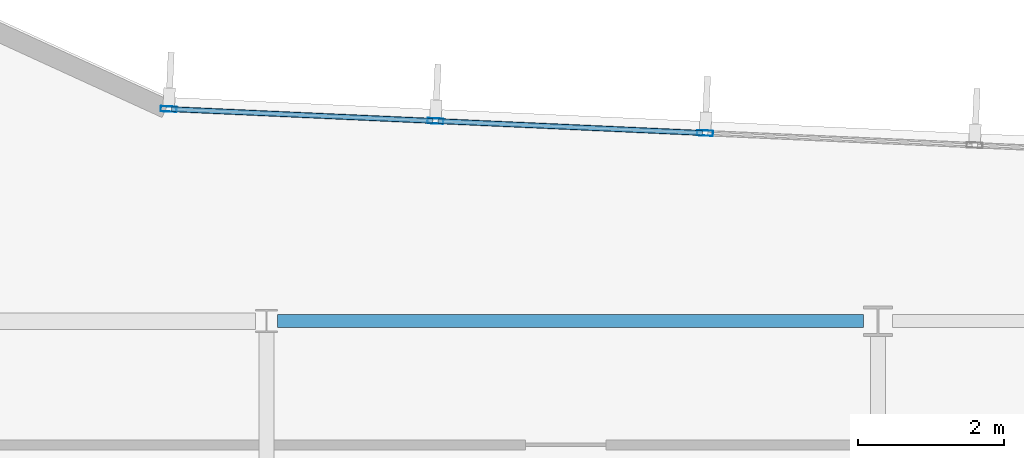
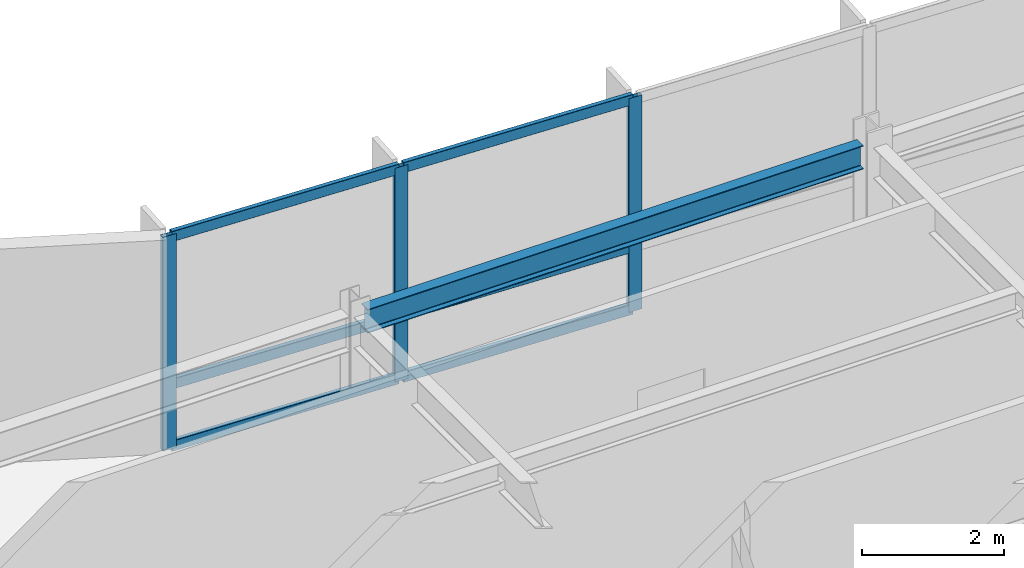
# One storey, part 5 of 16: 9 members, 1 beam, 1 element without a shape of its own.
"""IFC4 building model written with IfcOpenShell, lengths in metres."""

from ifc_helpers import new_model, si_unit, direction, frame, origin, origin_2d, place, context, subcontext, project, spatial, hollow_rectangle, i_section, extrude, material, layer, layer_set, material_profile, profile_set, type_object, element, aggregate, save


model = new_model("IFC4")

# Units and contexts
model_context = context("Model", 3, precision=1e-05, world=origin(), true_north=direction((0.0, 1.0)))
body_context = subcontext(model_context, "Body", "Model", "MODEL_VIEW")
ifc_project = project(units=[si_unit("LENGTHUNIT", "METRE"), si_unit("AREAUNIT", "SQUARE_METRE"), si_unit("VOLUMEUNIT", "CUBIC_METRE"), si_unit("PLANEANGLEUNIT", "RADIAN"), si_unit("MASSUNIT", "GRAM", prefix="KILO")], contexts=[model_context])

# Site, building, storey
site_placement = place(None, origin())
site = spatial("IfcSite", under=ifc_project, at=site_placement, CompositionType="ELEMENT")
building_placement = place(site_placement, origin())
building = spatial("IfcBuilding", under=site, at=building_placement, Name="Varnakote Quay Hospital", CompositionType="ELEMENT")
storey_placement = place(building_placement, frame((0.0, 0.0, 170.5)))
storey = spatial("IfcBuildingStorey", under=building, at=storey_placement, Name="L42", CompositionType="ELEMENT", Elevation=170.5)

# Curtain wall, members
ifc_material_1 = material(Name="Anodised aluminium 6063-T6 Bronze", Category="aluminium")
ifc_layer = layer(ifc_material_1, 0.205078125)
ifc_layer_set = layer_set([ifc_layer], Name="Anodised aluminium 6063-T6 Bronze")
curtain_wall_type = type_object("IfcCurtainWallType", Name="CW-SYS-3", PredefinedType="NOTDEFINED", material=ifc_layer_set)
curtain_wall_placement = place(storey_placement, origin())
curtain_wall = element("IfcCurtainWall", 1, at=curtain_wall_placement, inside=storey, type_object=curtain_wall_type, Name="L42 Unitised Bronze Curtain Wall 2", PredefinedType="NOTDEFINED")
ifc_material_2 = material(Name="Anodised aluminium 6063-T6 Bronze", Category="aluminium")
ifc_material_profile_1 = material_profile(ifc_material_2, hollow_rectangle(XDim=0.074951171875, YDim=0.219970703125, WallThickness=0.00439453125, InnerFilletRadius=0.00439453125, OuterFilletRadius=0.009033203125, at=origin_2d()), Name="CW-MULL-220x75")
ifc_profile_set_1 = profile_set([ifc_material_profile_1], Name="Anodised aluminium 6063-T6 Bronze")
member_type_1 = type_object("IfcMemberType", Name="CW-MULL-220x75", PredefinedType="MULLION", material=ifc_profile_set_1)
member_1_placement = place(storey_placement, frame((31.223876953125, 31.383544921875, 0.0), z_axis=(0.0, 0.0, 1.0), x_axis=(-0.044782334659, -0.998996768014, 0.0)))
member_1 = element("IfcMember", 2, at=member_1_placement, type_object=member_type_1, Name="-3-L42-2 mullion 3", PredefinedType="MULLION", context=body_context, shape_type="SweptSolid", body=[
    extrude(hollow_rectangle(XDim=0.074951171875, YDim=0.219970703125, WallThickness=0.00439453125, InnerFilletRadius=0.00439453125, OuterFilletRadius=0.009033203125, at=origin_2d()), origin(), (0.0, 0.0, 1.0), 3.669921875),
])
member_2_placement = place(storey_placement, frame((27.520751953125, 31.549560546875, 0.0), z_axis=(0.0, 0.0, 1.0), x_axis=(-0.044782334659, -0.998996768014, 0.0)))
member_2 = element("IfcMember", 3, at=member_2_placement, type_object=member_type_1, Name="-3-L42-2 mullion 4", PredefinedType="MULLION", context=body_context, shape_type="SweptSolid", body=[
    extrude(hollow_rectangle(XDim=0.074951171875, YDim=0.219970703125, WallThickness=0.00439453125, InnerFilletRadius=0.00439453125, OuterFilletRadius=0.009033203125, at=origin_2d()), origin(), (0.0, 0.0, 1.0), 3.669921875),
])
member_3_placement = place(storey_placement, frame((23.855224609375, 31.7138671875, 0.0), z_axis=(0.0, 0.0, 1.0), x_axis=(-0.044782334659, -0.998996768014, 0.0)))
member_3 = element("IfcMember", 4, at=member_3_placement, type_object=member_type_1, Name="-3-L42-2 mullion 5", PredefinedType="MULLION", context=body_context, shape_type="SweptSolid", body=[
    extrude(hollow_rectangle(XDim=0.074951171875, YDim=0.219970703125, WallThickness=0.00439453125, InnerFilletRadius=0.00439453125, OuterFilletRadius=0.009033203125, at=origin_2d()), origin(), (0.0, 0.0, 1.0), 3.669921875),
])
ifc_material_3 = material(Name="Anodised aluminium 6063-T6 Bronze", Category="aluminium")
ifc_material_profile_2 = material_profile(ifc_material_3, hollow_rectangle(XDim=0.074951171875, YDim=0.179931640625, WallThickness=0.004150390625, InnerFilletRadius=0.004150390625, OuterFilletRadius=0.00830078125, at=origin_2d()), Name="CW-TRAN-180x75")
ifc_profile_set_2 = profile_set([ifc_material_profile_2], Name="Anodised aluminium 6063-T6 Bronze")
member_type_2 = type_object("IfcMemberType", Name="CW-TRAN-180x75", PredefinedType="USERDEFINED", material=ifc_profile_set_2)
member_4_placement = place(storey_placement, frame((31.1865234375, 31.38525390625, 0.03759765625), z_axis=(-0.99899730508, 0.044770352277, 0.0), x_axis=(-0.044770352277, -0.99899730508, 0.0)))
member_4 = element("IfcMember", 5, at=member_4_placement, type_object=member_type_2, Name="-3-L42-2 transom 3.1", ObjectType="TRANSOM", PredefinedType="USERDEFINED", context=body_context, shape_type="SweptSolid", body=[
    extrude(hollow_rectangle(XDim=0.074951171875, YDim=0.179931640625, WallThickness=0.004150390625, InnerFilletRadius=0.004150390625, OuterFilletRadius=0.00830078125, at=origin_2d()), origin(), (0.0, 0.0, 1.0), 3.6318359375),
])
member_5_placement = place(storey_placement, frame((31.1865234375, 31.38525390625, 1.10009765625), z_axis=(-0.99899730508, 0.044770352277, 0.0), x_axis=(-0.044770352277, -0.99899730508, 0.0)))
member_5 = element("IfcMember", 6, at=member_5_placement, type_object=member_type_2, Name="-3-L42-2 transom 3.2", ObjectType="TRANSOM", PredefinedType="USERDEFINED", context=body_context, shape_type="SweptSolid", body=[
    extrude(hollow_rectangle(XDim=0.074951171875, YDim=0.179931640625, WallThickness=0.004150390625, InnerFilletRadius=0.004150390625, OuterFilletRadius=0.00830078125, at=origin_2d()), origin(), (0.0, 0.0, 1.0), 3.6318359375),
])
member_6_placement = place(storey_placement, frame((31.1865234375, 31.38525390625, 3.632568359375), z_axis=(-0.99899730508, 0.044770352277, 0.0), x_axis=(-0.044770352277, -0.99899730508, 0.0)))
member_6 = element("IfcMember", 7, at=member_6_placement, type_object=member_type_2, Name="-3-L42-2 transom 3.3", ObjectType="TRANSOM", PredefinedType="USERDEFINED", context=body_context, shape_type="SweptSolid", body=[
    extrude(hollow_rectangle(XDim=0.074951171875, YDim=0.179931640625, WallThickness=0.004150390625, InnerFilletRadius=0.004150390625, OuterFilletRadius=0.00830078125, at=origin_2d()), origin(), (0.0, 0.0, 1.0), 3.6318359375),
])
member_7_placement = place(storey_placement, frame((27.4833984375, 31.55126953125, 0.03759765625), z_axis=(-0.998997740237, 0.044760641203, 0.0), x_axis=(-0.044760641203, -0.998997740237, 0.0)))
member_7 = element("IfcMember", 8, at=member_7_placement, type_object=member_type_2, Name="-3-L42-2 transom 4.1", ObjectType="TRANSOM", PredefinedType="USERDEFINED", context=body_context, shape_type="SweptSolid", body=[
    extrude(hollow_rectangle(XDim=0.074951171875, YDim=0.179931640625, WallThickness=0.004150390625, InnerFilletRadius=0.004150390625, OuterFilletRadius=0.00830078125, at=origin_2d()), origin(), (0.0, 0.0, 1.0), 3.594482421875),
])
member_8_placement = place(storey_placement, frame((27.4833984375, 31.55126953125, 1.10009765625), z_axis=(-0.998997740237, 0.044760641203, 0.0), x_axis=(-0.044760641203, -0.998997740237, 0.0)))
member_8 = element("IfcMember", 9, at=member_8_placement, type_object=member_type_2, Name="-3-L42-2 transom 4.2", ObjectType="TRANSOM", PredefinedType="USERDEFINED", context=body_context, shape_type="SweptSolid", body=[
    extrude(hollow_rectangle(XDim=0.074951171875, YDim=0.179931640625, WallThickness=0.004150390625, InnerFilletRadius=0.004150390625, OuterFilletRadius=0.00830078125, at=origin_2d()), origin(), (0.0, 0.0, 1.0), 3.594482421875),
])
member_9_placement = place(storey_placement, frame((27.4833984375, 31.55126953125, 3.632568359375), z_axis=(-0.998997740237, 0.044760641203, 0.0), x_axis=(-0.044760641203, -0.998997740237, 0.0)))
member_9 = element("IfcMember", 10, at=member_9_placement, type_object=member_type_2, Name="-3-L42-2 transom 4.3", ObjectType="TRANSOM", PredefinedType="USERDEFINED", context=body_context, shape_type="SweptSolid", body=[
    extrude(hollow_rectangle(XDim=0.074951171875, YDim=0.179931640625, WallThickness=0.004150390625, InnerFilletRadius=0.004150390625, OuterFilletRadius=0.00830078125, at=origin_2d()), origin(), (0.0, 0.0, 1.0), 3.594482421875),
])
aggregate(curtain_wall, [member_1, member_2, member_3, member_4, member_5, member_6, member_7, member_8, member_9])

# Beam
ifc_material_4 = material(Name="Structural steel AS/NZS 3679.1 Grade 350 L0 (fy 340 MPa)", Category="steel")
ifc_material_profile_3 = material_profile(ifc_material_4, i_section(OverallWidth=0.177978515625, OverallDepth=0.406005859375, WebThickness=0.0078125, FlangeThickness=0.0126953125, FilletRadius=0.011474609375, at=origin_2d()), Name="410UB59.7")
ifc_profile_set_3 = profile_set([ifc_material_profile_3], Name="Structural steel AS/NZS 3679.1 Grade 350 L0 (fy 340 MPa)")
beam_type = type_object("IfcBeamType", Name="SPN-STL-410UB59-7", PredefinedType="SPANDREL", material=ifc_profile_set_3)
beam_placement = place(storey_placement, frame((25.353515625, 28.800048828125, 3.467041015625), z_axis=(1.0, 0.0, 0.0), x_axis=(0.0, 1.0, 0.0)))
element("IfcBeam", 11, at=beam_placement, inside=storey, type_object=beam_type, Name="L42 Perimeter Spandrel Beam", PredefinedType="SPANDREL", context=body_context, shape_type="SweptSolid", body=[
    extrude(i_section(OverallWidth=0.177978515625, OverallDepth=0.406005859375, WebThickness=0.0078125, FlangeThickness=0.0126953125, FilletRadius=0.011474609375, at=origin_2d()), origin(), (0.0, 0.0, 1.0), 8.04638671875),
])

save(model, "model.ifc")
